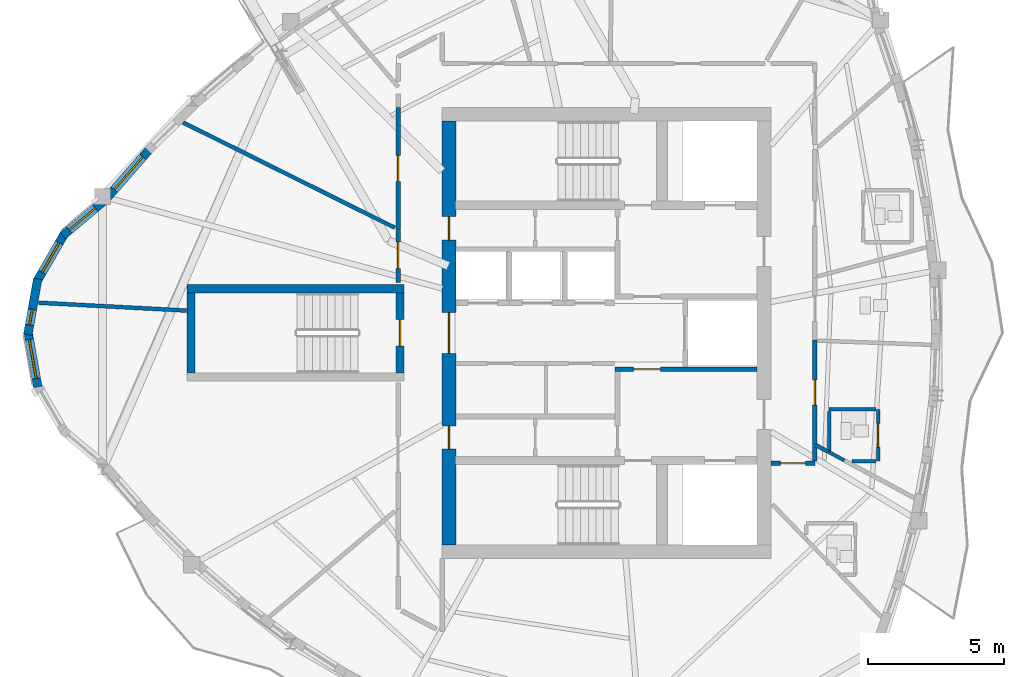
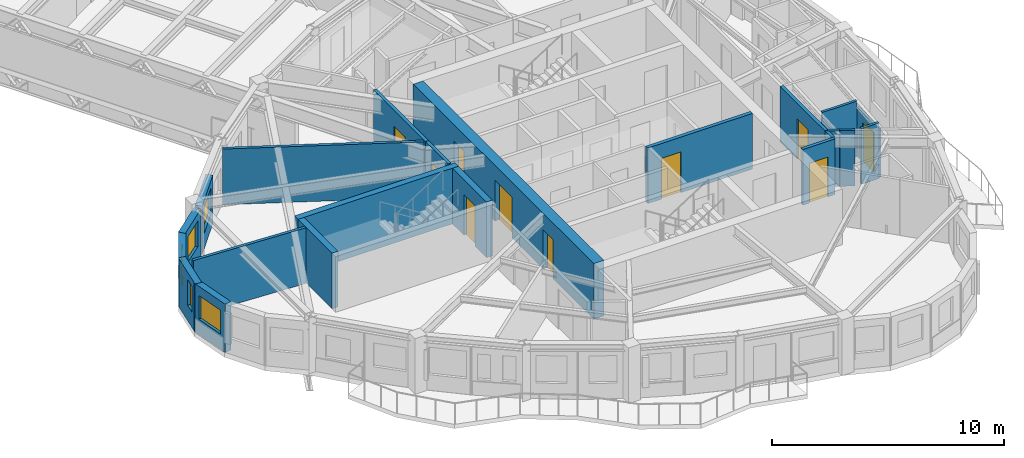
# One storey, part 7 of 14: 23 walls, 10 doors, 5 windows, 15 openings.
"""IFC4 building model written with IfcOpenShell, lengths in metres."""

from ifc_helpers import new_model, si_unit, direction, frame, frame_2d, origin, place, context, subcontext, project, spatial, rectangle, extrude, source, transform, mapped, material, layer, layer_set, type_object, element, fill, save


model = new_model("IFC4")

# Units and contexts
model_context = context("Model", 3, precision=1e-05, world=origin(), true_north=direction((0.0, 1.0)))
body_context = subcontext(model_context, "Body", "Model", "MODEL_VIEW")
ifc_project = project(units=[si_unit("LENGTHUNIT", "METRE"), si_unit("AREAUNIT", "SQUARE_METRE"), si_unit("VOLUMEUNIT", "CUBIC_METRE"), si_unit("PLANEANGLEUNIT", "RADIAN"), si_unit("MASSUNIT", "GRAM", prefix="KILO")], contexts=[model_context])

# Site, building, storey
site_placement = place(None, origin())
site = spatial("IfcSite", under=ifc_project, at=site_placement, CompositionType="ELEMENT")
building_placement = place(site_placement, origin())
building = spatial("IfcBuilding", under=site, at=building_placement, Name="Qafzar Sky-Pleat Residences", CompositionType="ELEMENT")
storey_placement = place(building_placement, frame((0.0, 0.0, 205.199951171875)))
storey = spatial("IfcBuildingStorey", under=building, at=storey_placement, Name="L61", CompositionType="ELEMENT", Elevation=205.199951171875)

# Wall, opening, door
ifc_material_1 = material(Name="Acoustic gypsum plasterboard partition", Category="gypsum")
ifc_layer_1 = layer(ifc_material_1, 0.159912109375)
ifc_layer_set_1 = layer_set([ifc_layer_1], Name="Acoustic gypsum plasterboard partition")
wall_type_1 = type_object("IfcWallType", Name="PART-COR-160", PredefinedType="PARTITIONING", material=ifc_layer_set_1)
wall_1_placement = place(storey_placement, frame((22.679931640625, 29.7939453125, 0.0), z_axis=(0.0, 0.0, 1.0), x_axis=(0.0, 1.0, 0.0)))
wall_1 = element("IfcWall", 1, at=wall_1_placement, inside=storey, type_object=wall_type_1, Name="L61 Partition Wall PART-L61-PW-005", PredefinedType="PARTITIONING", context=body_context, shape_type="SweptSolid", body=[
    extrude(rectangle(XDim=4.506103515625, YDim=0.159912109375, at=frame_2d((2.2529296875, 0.0))), origin(), (0.0, 0.0, 1.0), 2.93505859375),
])
opening_1_placement = place(wall_1_placement, frame((1.781494140625, 0.0, 0.0)))
opening_1 = element("IfcOpeningElement", 2, at=opening_1_placement, cuts=wall_1, Name="Opening ID-06", PredefinedType="OPENING", context=body_context, shape_type="SweptSolid", body=[
    extrude(rectangle(XDim=0.9599609375, YDim=2.10009765625, at=frame_2d((0.47998046875, 1.050048828125))), frame((0.0, 0.08984375, 0.0), z_axis=(0.0, -1.0, 0.0), x_axis=(1.0, 0.0, 0.0)), (0.0, 0.0, 1.0), 0.179931640625),
])
ifc_material_2 = material(Name="Timber-faced fire door", Category="wood")
door_type_1 = type_object("IfcDoorType", Name="DR-STD-960", OperationType="NOTDEFINED", PredefinedType="DOOR", material=ifc_material_2)
shared_shape_1 = source(origin(), body_context, "Body", "SweptSolid", [
    extrude(rectangle(XDim=0.9599609375, YDim=2.10009765625, at=frame_2d((0.47998046875, 1.050048828125))), frame((0.0, 0.02490234375, 0.0), z_axis=(0.0, -1.0, 0.0), x_axis=(1.0, 0.0, 0.0)), (0.0, 0.0, 1.0), 0.050048828125),
])
door_1_placement = place(opening_1_placement, origin())
door_1 = element("IfcDoor", 3, at=door_1_placement, inside=storey, type_object=door_type_1, Name="L61 Media Screening Room Door", OperationType="SINGLE_SWING_LEFT", OverallHeight=2.10009765625, OverallWidth=0.9599609375, PredefinedType="DOOR", context=body_context, shape_type="MappedRepresentation", body=[
    mapped(shared_shape_1, transform((0.0, 0.0, 0.0), x_axis=(1.0, 0.0, 0.0), y_axis=(0.0, 1.0, 0.0), z_axis=(0.0, 0.0, 1.0), scale=1.0)),
])
fill(opening_1, door_1)

wall_2_placement = place(storey_placement, frame((38.02001953125, 25.73291015625, 0.0), z_axis=(0.0, 0.0, 1.0), x_axis=(0.0, -1.0, 0.0)))
wall_2 = element("IfcWall", 4, at=wall_2_placement, inside=storey, type_object=wall_type_1, Name="L61 Partition Wall PART-L61-PW-006", PredefinedType="PARTITIONING", context=body_context, shape_type="SweptSolid", body=[
    extrude(rectangle(XDim=3.86181640625, YDim=0.159912109375, at=frame_2d((1.930908203125, 0.0))), origin(), (0.0, 0.0, 1.0), 2.93505859375),
])
opening_2_placement = place(wall_2_placement, frame((1.469970703125, 0.0, 0.0)))
opening_2 = element("IfcOpeningElement", 5, at=opening_2_placement, cuts=wall_2, Name="Opening ID-04", PredefinedType="OPENING", context=body_context, shape_type="SweptSolid", body=[
    extrude(rectangle(XDim=0.919921875, YDim=2.10009765625, at=frame_2d((0.4599609375, 1.050048828125))), frame((0.0, 0.08984375, 0.0), z_axis=(0.0, -1.0, 0.0), x_axis=(1.0, 0.0, 0.0)), (0.0, 0.0, 1.0), 0.179931640625),
])
door_type_2 = type_object("IfcDoorType", Name="DR-BED-920", OperationType="NOTDEFINED", PredefinedType="DOOR", material=ifc_material_2)
shared_shape_2 = source(origin(), body_context, "Body", "SweptSolid", [
    extrude(rectangle(XDim=0.919921875, YDim=2.10009765625, at=frame_2d((0.4599609375, 1.050048828125))), frame((0.0, 0.02490234375, 0.0), z_axis=(0.0, -1.0, 0.0), x_axis=(1.0, 0.0, 0.0)), (0.0, 0.0, 1.0), 0.050048828125),
])
door_2_placement = place(opening_2_placement, origin())
door_2 = element("IfcDoor", 6, at=door_2_placement, inside=storey, type_object=door_type_2, Name="L61 Co-Living Bedroom 2 Door", OperationType="SINGLE_SWING_RIGHT", OverallHeight=2.10009765625, OverallWidth=0.919921875, PredefinedType="DOOR", context=body_context, shape_type="MappedRepresentation", body=[
    mapped(shared_shape_2, transform((0.0, 0.0, 0.0), x_axis=(1.0, 0.0, 0.0), y_axis=(0.0, 1.0, 0.0), z_axis=(0.0, 0.0, 1.0), scale=1.0)),
])
fill(opening_2, door_2)

wall_3_placement = place(storey_placement, frame((22.679931640625, 27.85009765625, 0.0), z_axis=(0.0, 0.0, 1.0), x_axis=(0.0, 1.0, 0.0)))
wall_3 = element("IfcWall", 7, at=wall_3_placement, inside=storey, type_object=wall_type_1, Name="L61 Partition Wall PART-L61-PW-012", PredefinedType="PARTITIONING", context=body_context, shape_type="SweptSolid", body=[
    extrude(rectangle(XDim=1.928955078125, YDim=0.159912109375, at=frame_2d((0.96435546875, 0.0))), origin(), (0.0, 0.0, 1.0), 2.93505859375),
])
opening_3_placement = place(wall_3_placement, frame((0.530029296875, 0.0, 0.0)))
opening_3 = element("IfcOpeningElement", 8, at=opening_3_placement, cuts=wall_3, Name="Opening ID-06", PredefinedType="OPENING", context=body_context, shape_type="SweptSolid", body=[
    extrude(rectangle(XDim=0.9599609375, YDim=2.10009765625, at=frame_2d((0.47998046875, 1.050048828125))), frame((0.0, 0.08984375, 0.0), z_axis=(0.0, -1.0, 0.0), x_axis=(1.0, 0.0, 0.0)), (0.0, 0.0, 1.0), 0.179931640625),
])
door_3_placement = place(opening_3_placement, origin())
door_3 = element("IfcDoor", 9, at=door_3_placement, inside=storey, type_object=door_type_1, Name="L61 Reading Library Door", OperationType="SINGLE_SWING_RIGHT", OverallHeight=2.10009765625, OverallWidth=0.9599609375, PredefinedType="DOOR", context=body_context, shape_type="MappedRepresentation", body=[
    mapped(shared_shape_1, transform((0.0, 0.0, 0.0), x_axis=(1.0, 0.0, 0.0), y_axis=(0.0, 1.0, 0.0), z_axis=(0.0, 0.0, 1.0), scale=1.0)),
])
fill(opening_3, door_3)

wall_4_placement = place(storey_placement, frame((38.02001953125, 21.199951171875, 0.0), z_axis=(0.0, 0.0, 1.0), x_axis=(-1.0, 0.0, 0.0)))
wall_4 = element("IfcWall", 10, at=wall_4_placement, inside=storey, type_object=wall_type_1, Name="L61 Partition Wall PART-L61-PW-016", PredefinedType="PARTITIONING", context=body_context, shape_type="SweptSolid", body=[
    extrude(rectangle(XDim=1.612060546875, YDim=0.159912109375, at=frame_2d((0.80615234375, 0.0))), origin(), (0.0, 0.0, 1.0), 2.93505859375),
])
opening_4_placement = place(wall_4_placement, frame((0.35009765625, 0.0, 0.0)))
opening_4 = element("IfcOpeningElement", 11, at=opening_4_placement, cuts=wall_4, Name="Opening ID-04", PredefinedType="OPENING", context=body_context, shape_type="SweptSolid", body=[
    extrude(rectangle(XDim=0.919921875, YDim=2.10009765625, at=frame_2d((0.4599609375, 1.050048828125))), frame((0.0, 0.08984375, 0.0), z_axis=(0.0, -1.0, 0.0), x_axis=(1.0, 0.0, 0.0)), (0.0, 0.0, 1.0), 0.179931640625),
])
door_4_placement = place(opening_4_placement, origin())
door_4 = element("IfcDoor", 12, at=door_4_placement, inside=storey, type_object=door_type_2, Name="L61 Co-Living Bedroom 1 Door", OperationType="SINGLE_SWING_RIGHT", OverallHeight=2.10009765625, OverallWidth=0.919921875, PredefinedType="DOOR", context=body_context, shape_type="MappedRepresentation", body=[
    mapped(shared_shape_2, transform((0.0, 0.0, 0.0), x_axis=(1.0, 0.0, 0.0), y_axis=(0.0, 1.0, 0.0), z_axis=(0.0, 0.0, 1.0), scale=1.0)),
])
fill(opening_4, door_4)

# Wall
wall_5_placement = place(storey_placement, frame((38.02001953125, 21.2880859375, 0.0), z_axis=(0.0, 0.0, 1.0), x_axis=(0.0, 1.0, 0.0)))
element("IfcWall", 13, at=wall_5_placement, inside=storey, type_object=wall_type_1, Name="L61 Partition Wall PART-L61-PW-053", PredefinedType="PARTITIONING", context=body_context, shape_type="SweptSolid", body=[
    extrude(rectangle(XDim=0.56787109375, YDim=0.159912109375, at=frame_2d((0.283935546875, 0.0))), origin(), (0.0, 0.0, 1.0), 2.93505859375),
])

# Wall, opening, door
ifc_material_3 = material(Name="Concrete blockwork partition", Category="masonry")
ifc_layer_2 = layer(ifc_material_3, 0.179931640625)
ifc_layer_set_2 = layer_set([ifc_layer_2], Name="Concrete blockwork partition")
wall_type_2 = type_object("IfcWallType", Name="PART-SHAFT-180", PredefinedType="PARTITIONING", material=ifc_layer_set_2)
wall_6_placement = place(storey_placement, frame((30.669921875, 24.659912109375, 0.0), z_axis=(0.0, 0.0, 1.0), x_axis=(1.0, 0.0, 0.0)))
wall_6 = element("IfcWall", 14, at=wall_6_placement, inside=storey, type_object=wall_type_2, Name="L61 Partition Wall PART-L61-FFL1-N", PredefinedType="PARTITIONING", context=body_context, shape_type="SweptSolid", body=[
    extrude(rectangle(XDim=5.219970703125, YDim=0.179931640625, at=frame_2d((2.60986328125, 0.0))), origin(), (0.0, 0.0, 1.0), 2.93505859375),
])
opening_5_placement = place(wall_6_placement, frame((0.679931640625, 0.0, 0.0)))
opening_5 = element("IfcOpeningElement", 15, at=opening_5_placement, cuts=wall_6, Name="Opening ID-01", PredefinedType="OPENING", context=body_context, shape_type="SweptSolid", body=[
    extrude(rectangle(XDim=0.97998046875, YDim=2.14990234375, at=frame_2d((0.489990234375, 1.074951171875))), frame((0.0, 0.10009765625, 0.0), z_axis=(0.0, -1.0, 0.0), x_axis=(1.0, 0.0, 0.0)), (0.0, 0.0, 1.0), 0.199951171875),
])
door_type_3 = type_object("IfcDoorType", Name="DR-STAIR-980", OperationType="NOTDEFINED", PredefinedType="DOOR", material=ifc_material_2)
shared_shape_3 = source(origin(), body_context, "Body", "SweptSolid", [
    extrude(rectangle(XDim=0.97998046875, YDim=2.14990234375, at=frame_2d((0.489990234375, 1.074951171875))), frame((0.0, 0.02490234375, 0.0), z_axis=(0.0, -1.0, 0.0), x_axis=(1.0, 0.0, 0.0)), (0.0, 0.0, 1.0), 0.050048828125),
])
door_5_placement = place(opening_5_placement, origin())
door_5 = element("IfcDoor", 16, at=door_5_placement, inside=storey, type_object=door_type_3, Name="L61 Lift Lobby to South Firefighting Lobby Door", OperationType="SINGLE_SWING_RIGHT", OverallHeight=2.14990234375, OverallWidth=0.97998046875, PredefinedType="DOOR", context=body_context, shape_type="MappedRepresentation", body=[
    mapped(shared_shape_3, transform((0.0, 0.0, 0.0), x_axis=(1.0, 0.0, 0.0), y_axis=(0.0, 1.0, 0.0), z_axis=(0.0, 0.0, 1.0), scale=1.0)),
])
fill(opening_5, door_5)

# Walls
ifc_layer_3 = layer(ifc_material_1, 0.14501953125)
ifc_layer_set_3 = layer_set([ifc_layer_3], Name="Acoustic gypsum plasterboard partition")
wall_type_3 = type_object("IfcWallType", Name="PART-UNIT-145", PredefinedType="PARTITIONING", material=ifc_layer_set_3)
wall_7_placement = place(storey_placement, frame((14.758544921875, 33.746826171875, 0.0), z_axis=(0.0, 0.0, 1.0), x_axis=(0.895550902793, -0.44495907734, 0.0)))
element("IfcWall", 17, at=wall_7_placement, inside=storey, type_object=wall_type_3, Name="L61 Partition Wall PART-L61-PW-018", PredefinedType="PARTITIONING", context=body_context, shape_type="SweptSolid", body=[
    extrude(rectangle(XDim=8.7119140625, YDim=0.14501953125, at=frame_2d((4.35595703125, 0.0))), origin(), (0.0, 0.0, 1.0), 2.93505859375),
])
wall_8_placement = place(storey_placement, frame((9.43310546875, 27.111572265625, 0.0), z_axis=(0.0, 0.0, 1.0), x_axis=(0.998589537807, -0.053093643525, 0.0)))
element("IfcWall", 18, at=wall_8_placement, inside=storey, type_object=wall_type_3, Name="L61 Partition Wall PART-L61-PW-022", PredefinedType="PARTITIONING", context=body_context, shape_type="SweptSolid", body=[
    extrude(rectangle(XDim=5.462890625, YDim=0.14501953125, at=frame_2d((2.7314453125, 0.0))), origin(), (0.0, 0.0, 1.0), 2.93505859375),
])
wall_9_placement = place(storey_placement, frame((38.0595703125, 21.86669921875, 0.0), z_axis=(0.0, 0.0, 1.0), x_axis=(0.881026965879, -0.473066047601, 0.0)))
element("IfcWall", 19, at=wall_9_placement, inside=storey, type_object=wall_type_3, Name="L61 Partition Wall PART-L61-PW-056", PredefinedType="PARTITIONING", context=body_context, shape_type="SweptSolid", body=[
    extrude(rectangle(XDim=0.521240234375, YDim=0.14501953125, at=frame_2d((0.2607421875, 0.0))), origin(), (0.0, 0.0, 1.0), 2.93505859375),
])

# Wall, opening, door
ifc_material_4 = material(Name="Moisture-resistant gypsum partition", Category="gypsum")
ifc_layer_4 = layer(ifc_material_4, 0.1298828125)
ifc_layer_set_4 = layer_set([ifc_layer_4], Name="Moisture-resistant gypsum partition")
wall_type_4 = type_object("IfcWallType", Name="PART-WET-130", PredefinedType="PARTITIONING", material=ifc_layer_set_4)
wall_10_placement = place(storey_placement, frame((40.346923828125, 21.281982421875, 0.0), z_axis=(0.0, 0.0, 1.0), x_axis=(0.0, 1.0, 0.0)))
wall_10 = element("IfcWall", 20, at=wall_10_placement, inside=storey, type_object=wall_type_4, Name="L61 Partition Wall PART-L61-PW-014", PredefinedType="PARTITIONING", context=body_context, shape_type="SweptSolid", body=[
    extrude(rectangle(XDim=1.89990234375, YDim=0.1298828125, at=frame_2d((0.949951171875, 0.0))), origin(), (0.0, 0.0, 1.0), 2.572998046875),
])
opening_6_placement = place(wall_10_placement, frame((0.510009765625, 0.0, 0.0)))
opening_6 = element("IfcOpeningElement", 21, at=opening_6_placement, cuts=wall_10, Name="Opening ID-07", PredefinedType="OPENING", context=body_context, shape_type="SweptSolid", body=[
    extrude(rectangle(XDim=0.8798828125, YDim=2.050048828125, at=frame_2d((0.43994140625, 1.02490234375))), frame((0.0, 0.074951171875, 0.0), z_axis=(0.0, -1.0, 0.0), x_axis=(1.0, 0.0, 0.0)), (0.0, 0.0, 1.0), 0.14990234375),
])
door_type_4 = type_object("IfcDoorType", Name="DR-WET-880", OperationType="NOTDEFINED", PredefinedType="DOOR", material=ifc_material_2)
shared_shape_4 = source(origin(), body_context, "Body", "SweptSolid", [
    extrude(rectangle(XDim=0.8798828125, YDim=2.050048828125, at=frame_2d((0.43994140625, 1.02490234375))), frame((0.0, 0.02490234375, 0.0), z_axis=(0.0, -1.0, 0.0), x_axis=(1.0, 0.0, 0.0)), (0.0, 0.0, 1.0), 0.050048828125),
])
door_6_placement = place(opening_6_placement, origin())
door_6 = element("IfcDoor", 22, at=door_6_placement, inside=storey, type_object=door_type_4, Name="L61 En-suite Bathroom 2 Door", OperationType="SINGLE_SWING_RIGHT", OverallHeight=2.050048828125, OverallWidth=0.8798828125, PredefinedType="DOOR", context=body_context, shape_type="MappedRepresentation", body=[
    mapped(shared_shape_4, transform((0.0, 0.0, 0.0), x_axis=(1.0, 0.0, 0.0), y_axis=(0.0, 1.0, 0.0), z_axis=(0.0, 0.0, 1.0), scale=1.0)),
])
fill(opening_6, door_6)

# Walls
wall_11_placement = place(storey_placement, frame((38.547119140625, 23.181884765625, 0.0), z_axis=(0.0, 0.0, 1.0), x_axis=(1.0, 0.0, 0.0)))
element("IfcWall", 23, at=wall_11_placement, inside=storey, type_object=wall_type_4, Name="L61 Partition Wall PART-L61-PW-035", PredefinedType="PARTITIONING", context=body_context, shape_type="SweptSolid", body=[
    extrude(rectangle(XDim=1.726806640625, YDim=0.1298828125, at=frame_2d((0.86328125, 0.0))), origin(), (0.0, 0.0, 1.0), 2.93505859375),
])
wall_12_placement = place(storey_placement, frame((38.547119140625, 21.60498046875, 0.0), z_axis=(0.0, 0.0, 1.0), x_axis=(0.0, 1.0, 0.0)))
element("IfcWall", 24, at=wall_12_placement, inside=storey, type_object=wall_type_4, Name="L61 Partition Wall PART-L61-PW-042", PredefinedType="PARTITIONING", context=body_context, shape_type="SweptSolid", body=[
    extrude(rectangle(XDim=1.50390625, YDim=0.1298828125, at=frame_2d((0.751953125, 0.0))), origin(), (0.0, 0.0, 1.0), 2.60302734375),
])
wall_13_placement = place(storey_placement, frame((39.389892578125, 21.281982421875, 0.0), z_axis=(0.0, 0.0, 1.0), x_axis=(1.0, 0.0, 0.0)))
element("IfcWall", 25, at=wall_13_placement, inside=storey, type_object=wall_type_4, Name="L61 Partition Wall PART-L61-PW-046", PredefinedType="PARTITIONING", context=body_context, shape_type="SweptSolid", body=[
    extrude(rectangle(XDim=0.884033203125, YDim=0.1298828125, at=frame_2d((0.44189453125, 0.0))), origin(), (0.0, 0.0, 1.0), 2.93505859375),
])
wall_14_placement = place(storey_placement, frame((38.531982421875, 21.613037109375, 0.0), z_axis=(0.0, 0.0, 1.0), x_axis=(0.881618593919, -0.471962556626, 0.0)))
element("IfcWall", 26, at=wall_14_placement, inside=storey, type_object=wall_type_4, Name="L61 Partition Wall PART-L61-PW-054", PredefinedType="PARTITIONING", context=body_context, shape_type="SweptSolid", body=[
    extrude(rectangle(XDim=0.654296875, YDim=0.1298828125, at=frame_2d((0.3271484375, 0.0))), origin(), (0.0, 0.0, 1.0), 2.93505859375),
])

# Wall, opening, window
ifc_material_5 = material(Name="Precast concrete C40/50 with honed Riyadh limestone", Category="concrete")
ifc_layer_5 = layer(ifc_material_5, 0.320068359375)
ifc_layer_set_5 = layer_set([ifc_layer_5], Name="Precast concrete C40/50 with honed Riyadh limestone")
wall_type_5 = type_object("IfcWallType", Name="WALL-EXT-320", PredefinedType="SOLIDWALL", material=ifc_layer_set_5)
wall_15_placement = place(storey_placement, frame((11.828857421875, 30.842529296875, 0.0), z_axis=(0.0, 0.0, 1.0), x_axis=(-0.76606505432, -0.642763045414, 0.0)))
wall_15 = element("IfcWall", 27, at=wall_15_placement, inside=storey, type_object=wall_type_5, Name="L61 Limestone Facade Wall 1", PredefinedType="SOLIDWALL", context=body_context, shape_type="SweptSolid", body=[
    extrude(rectangle(XDim=1.962158203125, YDim=0.320068359375, at=frame_2d((0.98095703125, 0.0))), origin(), (0.0, 0.0, 1.0), 2.554931640625),
])
opening_7_placement = place(wall_15_placement, frame((0.39111328125, 0.0, 0.820068359375)))
opening_7 = element("IfcOpeningElement", 28, at=opening_7_placement, cuts=wall_15, Name="Opening WN-11", PredefinedType="OPENING", context=body_context, shape_type="SweptSolid", body=[
    extrude(rectangle(XDim=1.25, YDim=1.35009765625, at=frame_2d((0.625, 0.675048828125))), frame((0.0, 0.169921875, 0.0), z_axis=(0.0, -1.0, 0.0), x_axis=(1.0, 0.0, 0.0)), (0.0, 0.0, 1.0), 0.340087890625),
])
ifc_material_6 = material(Name="Solar-control low-E glass in bronze aluminium frame", Category="glass")
window_type_1 = type_object("IfcWindowType", Name="WIN-11", PartitioningType="SINGLE_PANEL", PredefinedType="WINDOW", material=ifc_material_6)
shared_shape_5 = source(origin(), body_context, "Body", "SweptSolid", [
    extrude(rectangle(XDim=1.25, YDim=1.35009765625, at=frame_2d((0.625, 0.675048828125))), frame((0.0, 0.030029296875, 0.0), z_axis=(0.0, -1.0, 0.0), x_axis=(1.0, 0.0, 0.0)), (0.0, 0.0, 1.0), 0.06005859375),
])
window_1_placement = place(opening_7_placement, origin())
window_1 = element("IfcWindow", 29, at=window_1_placement, inside=storey, type_object=window_type_1, Name="L61 Punched Facade Window 01", OverallHeight=1.35009765625, OverallWidth=1.25, PartitioningType="SINGLE_PANEL", PredefinedType="WINDOW", context=body_context, shape_type="MappedRepresentation", body=[
    mapped(shared_shape_5, transform((0.0, 0.0, 0.0), x_axis=(1.0, 0.0, 0.0), y_axis=(0.0, 1.0, 0.0), z_axis=(0.0, 0.0, 1.0), scale=1.0)),
])
fill(opening_7, window_1)

wall_16_placement = place(storey_placement, frame((10.409423828125, 29.68115234375, 0.0), z_axis=(0.0, 0.0, 1.0), x_axis=(-0.49990781971, -0.866078617559, 0.0)))
wall_16 = element("IfcWall", 30, at=wall_16_placement, inside=storey, type_object=wall_type_5, Name="L61 Limestone Facade Wall 2", PredefinedType="SOLIDWALL", context=body_context, shape_type="SweptSolid", body=[
    extrude(rectangle(XDim=2.09033203125, YDim=0.320068359375, at=frame_2d((1.045166015625, 0.0))), origin(), (0.0, 0.0, 1.0), 2.554931640625),
])
opening_8_placement = place(wall_16_placement, frame((0.420166015625, 0.0, 0.820068359375)))
opening_8 = element("IfcOpeningElement", 31, at=opening_8_placement, cuts=wall_16, Name="Opening WN-11", PredefinedType="OPENING", context=body_context, shape_type="SweptSolid", body=[
    extrude(rectangle(XDim=1.25, YDim=1.35009765625, at=frame_2d((0.625, 0.675048828125))), frame((0.0, 0.169921875, 0.0), z_axis=(0.0, -1.0, 0.0), x_axis=(1.0, 0.0, 0.0)), (0.0, 0.0, 1.0), 0.340087890625),
])
window_2_placement = place(opening_8_placement, origin())
window_2 = element("IfcWindow", 32, at=window_2_placement, inside=storey, type_object=window_type_1, Name="L61 Punched Facade Window 02", OverallHeight=1.35009765625, OverallWidth=1.25, PartitioningType="SINGLE_PANEL", PredefinedType="WINDOW", context=body_context, shape_type="MappedRepresentation", body=[
    mapped(shared_shape_5, transform((0.0, 0.0, 0.0), x_axis=(1.0, 0.0, 0.0), y_axis=(0.0, 1.0, 0.0), z_axis=(0.0, 0.0, 1.0), scale=1.0)),
])
fill(opening_8, window_2)

wall_17_placement = place(storey_placement, frame((9.408935546875, 27.993408203125, 0.0), z_axis=(0.0, 0.0, 1.0), x_axis=(-0.173672066494, -0.984803540469, 0.0)))
wall_17 = element("IfcWall", 33, at=wall_17_placement, inside=storey, type_object=wall_type_5, Name="L61 Limestone Facade Wall 3", PredefinedType="SOLIDWALL", context=body_context, shape_type="SweptSolid", body=[
    extrude(rectangle(XDim=2.09033203125, YDim=0.320068359375, at=frame_2d((1.045166015625, 0.0))), origin(), (0.0, 0.0, 1.0), 2.554931640625),
])
opening_9_placement = place(wall_17_placement, frame((1.149169921875, 0.0, 0.820068359375)))
opening_9 = element("IfcOpeningElement", 34, at=opening_9_placement, cuts=wall_17, Name="Opening WN-17", PredefinedType="OPENING", context=body_context, shape_type="SweptSolid", body=[
    extrude(rectangle(XDim=0.580078125, YDim=1.35009765625, at=frame_2d((0.2900390625, 0.675048828125))), frame((0.0, 0.169921875, 0.0), z_axis=(0.0, -1.0, 0.0), x_axis=(1.0, 0.0, 0.0)), (0.0, 0.0, 1.0), 0.340087890625),
])
window_type_2 = type_object("IfcWindowType", Name="WIN-17", PartitioningType="SINGLE_PANEL", PredefinedType="WINDOW", material=ifc_material_6)
shared_shape_6 = source(origin(), body_context, "Body", "SweptSolid", [
    extrude(rectangle(XDim=0.580078125, YDim=1.35009765625, at=frame_2d((0.2900390625, 0.675048828125))), frame((0.0, 0.030029296875, 0.0), z_axis=(0.0, -1.0, 0.0), x_axis=(1.0, 0.0, 0.0)), (0.0, 0.0, 1.0), 0.06005859375),
])
window_3_placement = place(opening_9_placement, origin())
window_3 = element("IfcWindow", 35, at=window_3_placement, inside=storey, type_object=window_type_2, Name="L61 Punched Facade Window 03-2", OverallHeight=1.35009765625, OverallWidth=0.580078125, PartitioningType="SINGLE_PANEL", PredefinedType="WINDOW", context=body_context, shape_type="MappedRepresentation", body=[
    mapped(shared_shape_6, transform((0.0, 0.0, 0.0), x_axis=(1.0, 0.0, 0.0), y_axis=(0.0, 1.0, 0.0), z_axis=(0.0, 0.0, 1.0), scale=1.0)),
])
fill(opening_9, window_3)

wall_18_placement = place(storey_placement, frame((9.0458984375, 26.065185546875, 0.0), z_axis=(0.0, 0.0, 1.0), x_axis=(0.173672066494, -0.984803540469, 0.0)))
wall_18 = element("IfcWall", 36, at=wall_18_placement, inside=storey, type_object=wall_type_5, Name="L61 Limestone Facade Wall 4", PredefinedType="SOLIDWALL", context=body_context, shape_type="SweptSolid", body=[
    extrude(rectangle(XDim=2.09033203125, YDim=0.320068359375, at=frame_2d((1.045166015625, 0.0))), origin(), (0.0, 0.0, 1.0), 2.554931640625),
])
opening_10_placement = place(wall_18_placement, frame((0.3203125, 0.0, 0.820068359375)))
opening_10 = element("IfcOpeningElement", 37, at=opening_10_placement, cuts=wall_18, Name="Opening WN-15", PredefinedType="OPENING", context=body_context, shape_type="SweptSolid", body=[
    extrude(rectangle(XDim=1.449951171875, YDim=1.25, at=frame_2d((0.72509765625, 0.625))), frame((0.0, 0.169921875, 0.0), z_axis=(0.0, -1.0, 0.0), x_axis=(1.0, 0.0, 0.0)), (0.0, 0.0, 1.0), 0.340087890625),
])
window_type_3 = type_object("IfcWindowType", Name="WIN-15", PartitioningType="SINGLE_PANEL", PredefinedType="WINDOW", material=ifc_material_6)
shared_shape_7 = source(origin(), body_context, "Body", "SweptSolid", [
    extrude(rectangle(XDim=1.449951171875, YDim=1.25, at=frame_2d((0.72509765625, 0.625))), frame((0.0, 0.030029296875, 0.0), z_axis=(0.0, -1.0, 0.0), x_axis=(1.0, 0.0, 0.0)), (0.0, 0.0, 1.0), 0.06005859375),
])
window_4_placement = place(opening_10_placement, origin())
window_4 = element("IfcWindow", 38, at=window_4_placement, inside=storey, type_object=window_type_3, Name="L61 Punched Facade Window 04", OverallHeight=1.25, OverallWidth=1.449951171875, PartitioningType="SINGLE_PANEL", PredefinedType="WINDOW", context=body_context, shape_type="MappedRepresentation", body=[
    mapped(shared_shape_7, transform((0.0, 0.0, 0.0), x_axis=(1.0, 0.0, 0.0), y_axis=(0.0, 1.0, 0.0), z_axis=(0.0, 0.0, 1.0), scale=1.0)),
])
fill(opening_10, window_4)

wall_19_placement = place(storey_placement, frame((13.542236328125, 32.781005859375, 0.0), z_axis=(0.0, 0.0, 1.0), x_axis=(-0.657706548736, -0.753274250024, 0.0)))
wall_19 = element("IfcWall", 39, at=wall_19_placement, inside=storey, type_object=wall_type_5, Name="L61 Limestone Facade Wall 48", PredefinedType="SOLIDWALL", context=body_context, shape_type="SweptSolid", body=[
    extrude(rectangle(XDim=2.383544921875, YDim=0.320068359375, at=frame_2d((1.19189453125, 0.0))), origin(), (0.0, 0.0, 1.0), 2.554931640625),
])
opening_11_placement = place(wall_19_placement, frame((0.396728515625, 0.0, 0.820068359375)))
opening_11 = element("IfcOpeningElement", 40, at=opening_11_placement, cuts=wall_19, Name="Opening WN-09", PredefinedType="OPENING", context=body_context, shape_type="SweptSolid", body=[
    extrude(rectangle(XDim=1.60009765625, YDim=1.35009765625, at=frame_2d((0.800048828125, 0.675048828125))), frame((0.0, 0.169921875, 0.0), z_axis=(0.0, -1.0, 0.0), x_axis=(1.0, 0.0, 0.0)), (0.0, 0.0, 1.0), 0.340087890625),
])
window_type_4 = type_object("IfcWindowType", Name="WIN-09", PartitioningType="DOUBLE_PANEL_VERTICAL", PredefinedType="WINDOW", material=ifc_material_6)
shared_shape_8 = source(origin(), body_context, "Body", "SweptSolid", [
    extrude(rectangle(XDim=1.60009765625, YDim=1.35009765625, at=frame_2d((0.800048828125, 0.675048828125))), frame((0.0, 0.030029296875, 0.0), z_axis=(0.0, -1.0, 0.0), x_axis=(1.0, 0.0, 0.0)), (0.0, 0.0, 1.0), 0.06005859375),
])
window_5_placement = place(opening_11_placement, origin())
window_5 = element("IfcWindow", 41, at=window_5_placement, inside=storey, type_object=window_type_4, Name="L61 Punched Facade Window 48", OverallHeight=1.35009765625, OverallWidth=1.60009765625, PartitioningType="SINGLE_PANEL", PredefinedType="WINDOW", context=body_context, shape_type="MappedRepresentation", body=[
    mapped(shared_shape_8, transform((0.0, 0.0, 0.0), x_axis=(1.0, 0.0, 0.0), y_axis=(0.0, 1.0, 0.0), z_axis=(0.0, 0.0, 1.0), scale=1.0)),
])
fill(opening_11, window_5)

# Walls
ifc_material_7 = material(Name="Concrete C60/75", Category="concrete")
ifc_layer_6 = layer(ifc_material_7, 0.300048828125)
ifc_layer_set_6 = layer_set([ifc_layer_6], Name="Concrete C60/75")
wall_type_6 = type_object("IfcWallType", Name="WALL-SHEAR-300", PredefinedType="SHEAR", material=ifc_layer_set_6)
wall_20_placement = place(storey_placement, frame((22.89990234375, 27.625, 0.0), z_axis=(0.0, 0.0, 1.0), x_axis=(-1.0, 0.0, 0.0)))
element("IfcWall", 42, at=wall_20_placement, inside=storey, type_object=wall_type_6, Name="L61 ST3 wall N", PredefinedType="SHEAR", context=body_context, shape_type="SweptSolid", body=[
    extrude(rectangle(XDim=8.0, YDim=0.300048828125, at=frame_2d((4.0, 0.0))), origin(), (0.0, 0.0, 1.0), 2.93505859375),
])
wall_21_placement = place(storey_placement, frame((15.050048828125, 27.47509765625, 0.0), z_axis=(0.0, 0.0, 1.0), x_axis=(0.0, -1.0, 0.0)))
element("IfcWall", 43, at=wall_21_placement, inside=storey, type_object=wall_type_6, Name="L61 ST3 wall W", PredefinedType="SHEAR", context=body_context, shape_type="SweptSolid", body=[
    extrude(rectangle(XDim=2.9501953125, YDim=0.300048828125, at=frame_2d((1.47509765625, 0.0))), origin(), (0.0, 0.0, 1.0), 2.93505859375),
])

# Wall, opening, door
wall_22_placement = place(storey_placement, frame((22.75, 24.52490234375, 0.0), z_axis=(0.0, 0.0, 1.0), x_axis=(0.0, 1.0, 0.0)))
wall_22 = element("IfcWall", 44, at=wall_22_placement, inside=storey, type_object=wall_type_6, Name="L61 ST3 wall E", PredefinedType="SHEAR", context=body_context, shape_type="SweptSolid", body=[
    extrude(rectangle(XDim=2.9501953125, YDim=0.300048828125, at=frame_2d((1.47509765625, 0.0))), origin(), (0.0, 0.0, 1.0), 2.93505859375),
])
opening_12_placement = place(wall_22_placement, frame((0.985107421875, 0.0, 0.0)))
opening_12 = element("IfcOpeningElement", 45, at=opening_12_placement, cuts=wall_22, Name="Opening ID-01", PredefinedType="OPENING", context=body_context, shape_type="SweptSolid", body=[
    extrude(rectangle(XDim=0.97998046875, YDim=2.14990234375, at=frame_2d((0.489990234375, 1.074951171875))), frame((0.0, 0.16015625, 0.0), z_axis=(0.0, -1.0, 0.0), x_axis=(1.0, 0.0, 0.0)), (0.0, 0.0, 1.0), 0.320068359375),
])
door_7_placement = place(opening_12_placement, origin())
door_7 = element("IfcDoor", 46, at=door_7_placement, inside=storey, type_object=door_type_3, Name="L61 Stair ST3 Fire Door", OperationType="SINGLE_SWING_RIGHT", OverallHeight=2.14990234375, OverallWidth=0.97998046875, PredefinedType="DOOR", context=body_context, shape_type="MappedRepresentation", body=[
    mapped(shared_shape_3, transform((0.0, 0.0, 0.0), x_axis=(1.0, 0.0, 0.0), y_axis=(0.0, 1.0, 0.0), z_axis=(0.0, 0.0, 1.0), scale=1.0)),
])
fill(opening_12, door_7)

# Wall, openings, doors
ifc_layer_7 = layer(ifc_material_7, 0.5)
ifc_layer_set_7 = layer_set([ifc_layer_7], Name="Concrete C60/75")
wall_type_7 = type_object("IfcWallType", Name="WALL-SHEAR-500", PredefinedType="SHEAR", material=ifc_layer_set_7)
wall_23_placement = place(storey_placement, frame((24.550048828125, 33.800048828125, 0.0), z_axis=(0.0, 0.0, 1.0), x_axis=(0.0, -1.0, 0.0)))
wall_23 = element("IfcWall", 47, at=wall_23_placement, inside=storey, type_object=wall_type_7, Name="L61 CORE wall W", PredefinedType="SHEAR", context=body_context, shape_type="SweptSolid", body=[
    extrude(rectangle(XDim=15.60009765625, YDim=0.5, at=frame_2d((7.800048828125, 0.0))), origin(), (0.0, 0.0, 1.0), 2.93505859375),
])
opening_13_placement = place(wall_23_placement, frame((7.050048828125, 0.0, 0.0)))
opening_13 = element("IfcOpeningElement", 48, at=opening_13_placement, cuts=wall_23, Name="Opening ID-03", PredefinedType="OPENING", context=body_context, shape_type="SweptSolid", body=[
    extrude(rectangle(XDim=1.5, YDim=2.14990234375, at=frame_2d((0.75, 1.074951171875))), frame((0.0, 0.260009765625, 0.0), z_axis=(0.0, -1.0, 0.0), x_axis=(1.0, 0.0, 0.0)), (0.0, 0.0, 1.0), 0.52001953125),
])
opening_14_placement = place(wall_23_placement, frame((3.52001953125, 0.0, 0.0)))
opening_14 = element("IfcOpeningElement", 49, at=opening_14_placement, cuts=wall_23, Name="Opening ID-09", PredefinedType="OPENING", context=body_context, shape_type="SweptSolid", body=[
    extrude(rectangle(XDim=0.860107421875, YDim=2.050048828125, at=frame_2d((0.43017578125, 1.02490234375))), frame((0.0, 0.260009765625, 0.0), z_axis=(0.0, -1.0, 0.0), x_axis=(1.0, 0.0, 0.0)), (0.0, 0.0, 1.0), 0.52001953125),
])
opening_15_placement = place(wall_23_placement, frame((11.219970703125, 0.0, 0.0)))
opening_15 = element("IfcOpeningElement", 50, at=opening_15_placement, cuts=wall_23, Name="Opening ID-09", PredefinedType="OPENING", context=body_context, shape_type="SweptSolid", body=[
    extrude(rectangle(XDim=0.860107421875, YDim=2.050048828125, at=frame_2d((0.43017578125, 1.02490234375))), frame((0.0, 0.260009765625, 0.0), z_axis=(0.0, -1.0, 0.0), x_axis=(1.0, 0.0, 0.0)), (0.0, 0.0, 1.0), 0.52001953125),
])
door_type_5 = type_object("IfcDoorType", Name="DR-COR-1500", OperationType="DOUBLE_DOOR_SINGLE_SWING", PredefinedType="DOOR", material=ifc_material_2)
shared_shape_9 = source(origin(), body_context, "Body", "SweptSolid", [
    extrude(rectangle(XDim=1.5, YDim=2.14990234375, at=frame_2d((0.75, 1.074951171875))), frame((0.0, 0.02490234375, 0.0), z_axis=(0.0, -1.0, 0.0), x_axis=(1.0, 0.0, 0.0)), (0.0, 0.0, 1.0), 0.050048828125),
])
door_8_placement = place(opening_13_placement, origin())
door_8 = element("IfcDoor", 51, at=door_8_placement, inside=storey, type_object=door_type_5, Name="L61 Lift Lobby West Double Door", OperationType="DOUBLE_DOOR_SINGLE_SWING", OverallHeight=2.14990234375, OverallWidth=1.5, PredefinedType="DOOR", context=body_context, shape_type="MappedRepresentation", body=[
    mapped(shared_shape_9, transform((0.0, 0.0, 0.0), x_axis=(1.0, 0.0, 0.0), y_axis=(0.0, 1.0, 0.0), z_axis=(0.0, 0.0, 1.0), scale=1.0)),
])
fill(opening_13, door_8)
door_type_6 = type_object("IfcDoorType", Name="DR-SVC-860", OperationType="NOTDEFINED", PredefinedType="DOOR", material=ifc_material_2)
shared_shape_10 = source(origin(), body_context, "Body", "SweptSolid", [
    extrude(rectangle(XDim=0.860107421875, YDim=2.050048828125, at=frame_2d((0.43017578125, 1.02490234375))), frame((0.0, 0.02490234375, 0.0), z_axis=(0.0, -1.0, 0.0), x_axis=(1.0, 0.0, 0.0)), (0.0, 0.0, 1.0), 0.050048828125),
])
door_9_placement = place(opening_14_placement, origin())
door_9 = element("IfcDoor", 52, at=door_9_placement, inside=storey, type_object=door_type_6, Name="L61 Core North-West Service Door", OperationType="SINGLE_SWING_LEFT", OverallHeight=2.050048828125, OverallWidth=0.860107421875, PredefinedType="DOOR", context=body_context, shape_type="MappedRepresentation", body=[
    mapped(shared_shape_10, transform((0.0, 0.0, 0.0), x_axis=(1.0, 0.0, 0.0), y_axis=(0.0, 1.0, 0.0), z_axis=(0.0, 0.0, 1.0), scale=1.0)),
])
fill(opening_14, door_9)
door_10_placement = place(opening_15_placement, origin())
door_10 = element("IfcDoor", 53, at=door_10_placement, inside=storey, type_object=door_type_6, Name="L61 Core South-West Service Door", OperationType="SINGLE_SWING_RIGHT", OverallHeight=2.050048828125, OverallWidth=0.860107421875, PredefinedType="DOOR", context=body_context, shape_type="MappedRepresentation", body=[
    mapped(shared_shape_10, transform((0.0, 0.0, 0.0), x_axis=(1.0, 0.0, 0.0), y_axis=(0.0, 1.0, 0.0), z_axis=(0.0, 0.0, 1.0), scale=1.0)),
])
fill(opening_15, door_10)

save(model, "model.ifc")
